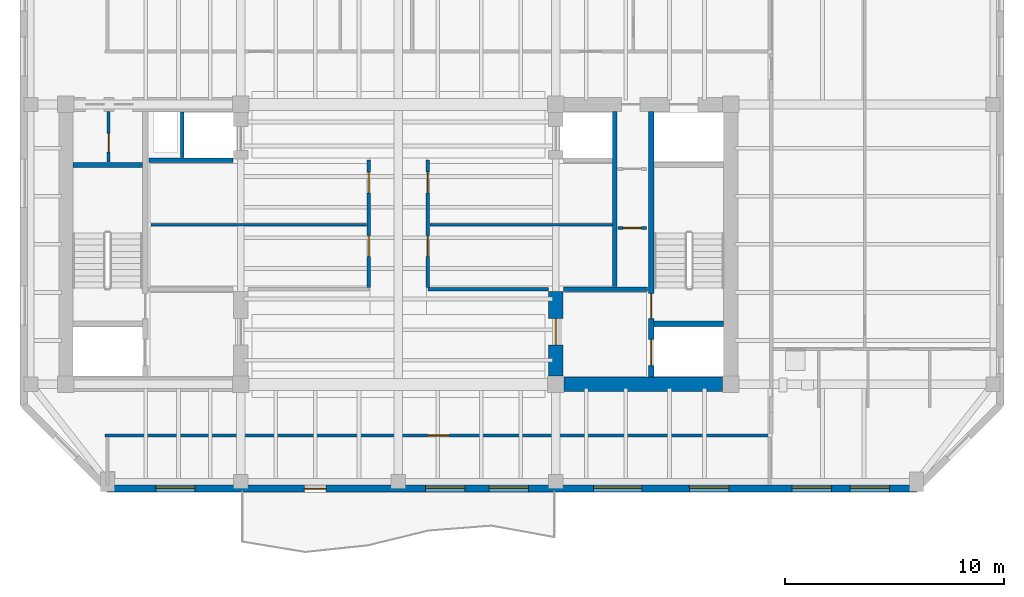
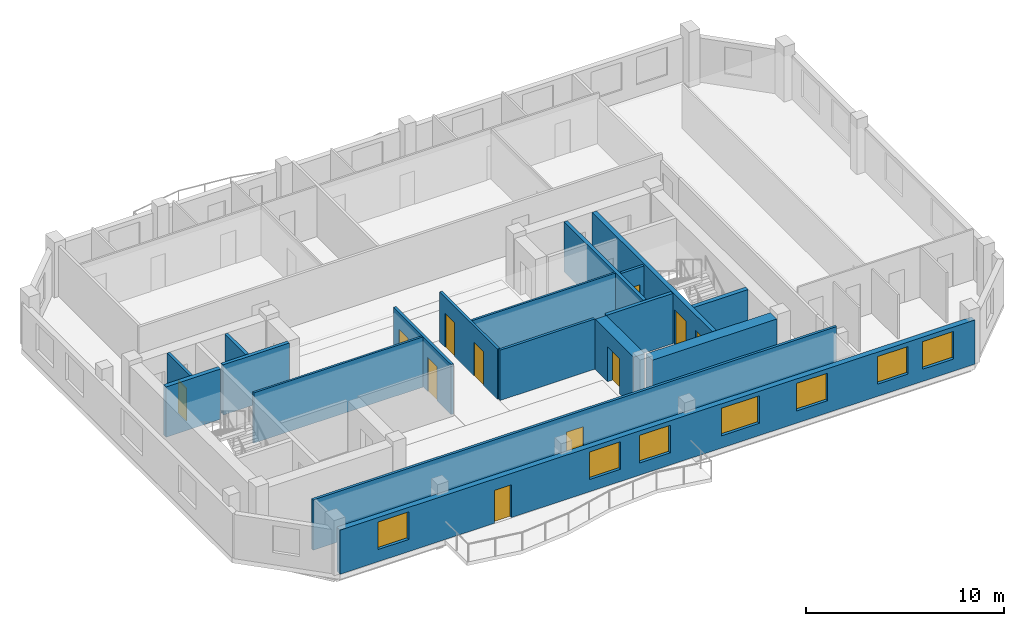
# One storey, part 3 of 9: 18 walls, 11 doors, 7 windows, 18 openings.
"""IFC4 building model written with IfcOpenShell, lengths in metres."""

from ifc_helpers import new_model, si_unit, direction, frame, frame_2d, origin, place, context, subcontext, project, spatial, rectangle, extrude, material, layer, layer_set, type_object, element, fill, save


model = new_model("IFC4")

# Units and contexts
model_context = context("Model", 3, precision=1e-05, world=origin(), true_north=direction((0.0, 1.0)))
body_context = subcontext(model_context, "Body", "Model", "MODEL_VIEW")
ifc_project = project(units=[si_unit("LENGTHUNIT", "METRE"), si_unit("AREAUNIT", "SQUARE_METRE"), si_unit("VOLUMEUNIT", "CUBIC_METRE"), si_unit("PLANEANGLEUNIT", "RADIAN"), si_unit("MASSUNIT", "GRAM", prefix="KILO")], contexts=[model_context])

# Site, building, storey
site_placement = place(None, origin())
site = spatial("IfcSite", under=ifc_project, at=site_placement, CompositionType="ELEMENT")
building_placement = place(site_placement, origin())
building = spatial("IfcBuilding", under=site, at=building_placement, Name="Kranthara Brick Stack", CompositionType="ELEMENT")
storey_placement = place(building_placement, frame((0.0, 0.0, 251.699951171875)))
storey = spatial("IfcBuildingStorey", under=building, at=storey_placement, Name="L66", CompositionType="ELEMENT", Elevation=251.699951171875)

# Wall, openings, door, windows
ifc_material_1 = material(Name="Warm buff clay brick masonry M15", Category="masonry")
ifc_layer_1 = layer(ifc_material_1, 0.320068359375)
ifc_layer_set_1 = layer_set([ifc_layer_1], Name="Warm buff clay brick masonry M15")
wall_type_1 = type_object("IfcWallType", Name="WL-BRK-UPPR-320", PredefinedType="STANDARD", material=ifc_layer_set_1)
wall_1_placement = place(storey_placement, frame((51.699951171875, 16.030029296875, 0.0), z_axis=(0.0, 0.0, 1.0), x_axis=(-1.0, 0.0, 0.0)))
wall_1 = element("IfcWall", 1, at=wall_1_placement, inside=storey, type_object=wall_type_1, Name="L66 Exterior Brick Facade Wall SOUTH 1", PredefinedType="STANDARD", context=body_context, shape_type="SweptSolid", body=[
    extrude(rectangle(XDim=37.0, YDim=0.320068359375, at=frame_2d((18.5, 0.0))), origin(), (0.0, 0.0, 1.0), 2.72509765625),
])
opening_1_placement = place(wall_1_placement, frame((27.0, 0.0, 0.0)))
opening_1 = element("IfcOpeningElement", 2, at=opening_1_placement, cuts=wall_1, Name="Opening D03", PredefinedType="OPENING", context=body_context, shape_type="SweptSolid", body=[
    extrude(rectangle(XDim=1.0, YDim=2.02001953125, at=frame_2d((0.5, 1.010009765625))), frame((0.0, 0.169921875, 0.0), z_axis=(0.0, -1.0, 0.0), x_axis=(1.0, 0.0, 0.0)), (0.0, 0.0, 1.0), 0.340087890625),
])
opening_2_placement = place(wall_1_placement, frame((1.235107421875, 0.0, 0.75)))
opening_2 = element("IfcOpeningElement", 3, at=opening_2_placement, cuts=wall_1, Name="Opening WN07", PredefinedType="OPENING", context=body_context, shape_type="SweptSolid", body=[
    extrude(rectangle(XDim=1.800048828125, YDim=1.699951171875, at=frame_2d((0.89990234375, 0.85009765625))), frame((0.0, 0.169921875, 0.0), z_axis=(0.0, -1.0, 0.0), x_axis=(1.0, 0.0, 0.0)), (0.0, 0.0, 1.0), 0.340087890625),
])
opening_3_placement = place(wall_1_placement, frame((3.885009765625, 0.0, 0.75)))
opening_3 = element("IfcOpeningElement", 4, at=opening_3_placement, cuts=wall_1, Name="Opening WN07", PredefinedType="OPENING", context=body_context, shape_type="SweptSolid", body=[
    extrude(rectangle(XDim=1.800048828125, YDim=1.699951171875, at=frame_2d((0.89990234375, 0.85009765625))), frame((0.0, 0.169921875, 0.0), z_axis=(0.0, -1.0, 0.0), x_axis=(1.0, 0.0, 0.0)), (0.0, 0.0, 1.0), 0.340087890625),
])
opening_4_placement = place(wall_1_placement, frame((8.5830078125, 0.0, 0.75)))
opening_4 = element("IfcOpeningElement", 5, at=opening_4_placement, cuts=wall_1, Name="Opening WN07", PredefinedType="OPENING", context=body_context, shape_type="SweptSolid", body=[
    extrude(rectangle(XDim=1.800048828125, YDim=1.699951171875, at=frame_2d((0.89990234375, 0.85009765625))), frame((0.0, 0.169921875, 0.0), z_axis=(0.0, -1.0, 0.0), x_axis=(1.0, 0.0, 0.0)), (0.0, 0.0, 1.0), 0.340087890625),
])
opening_5_placement = place(wall_1_placement, frame((12.56201171875, 0.0, 0.75)))
opening_5 = element("IfcOpeningElement", 6, at=opening_5_placement, cuts=wall_1, Name="Opening WN08", PredefinedType="OPENING", context=body_context, shape_type="SweptSolid", body=[
    extrude(rectangle(XDim=2.199951171875, YDim=1.699951171875, at=frame_2d((1.10009765625, 0.85009765625))), frame((0.0, 0.169921875, 0.0), z_axis=(0.0, -1.0, 0.0), x_axis=(1.0, 0.0, 0.0)), (0.0, 0.0, 1.0), 0.340087890625),
])
opening_6_placement = place(wall_1_placement, frame((17.748046875, 0.0, 0.75)))
opening_6 = element("IfcOpeningElement", 7, at=opening_6_placement, cuts=wall_1, Name="Opening WN07", PredefinedType="OPENING", context=body_context, shape_type="SweptSolid", body=[
    extrude(rectangle(XDim=1.800048828125, YDim=1.699951171875, at=frame_2d((0.89990234375, 0.85009765625))), frame((0.0, 0.169921875, 0.0), z_axis=(0.0, -1.0, 0.0), x_axis=(1.0, 0.0, 0.0)), (0.0, 0.0, 1.0), 0.340087890625),
])
opening_7_placement = place(wall_1_placement, frame((20.652099609375, 0.0, 0.75)))
opening_7 = element("IfcOpeningElement", 8, at=opening_7_placement, cuts=wall_1, Name="Opening WN07", PredefinedType="OPENING", context=body_context, shape_type="SweptSolid", body=[
    extrude(rectangle(XDim=1.800048828125, YDim=1.699951171875, at=frame_2d((0.89990234375, 0.85009765625))), frame((0.0, 0.169921875, 0.0), z_axis=(0.0, -1.0, 0.0), x_axis=(1.0, 0.0, 0.0)), (0.0, 0.0, 1.0), 0.340087890625),
])
opening_8_placement = place(wall_1_placement, frame((32.988037109375, 0.0, 0.75)))
opening_8 = element("IfcOpeningElement", 9, at=opening_8_placement, cuts=wall_1, Name="Opening WN07", PredefinedType="OPENING", context=body_context, shape_type="SweptSolid", body=[
    extrude(rectangle(XDim=1.800048828125, YDim=1.699951171875, at=frame_2d((0.89990234375, 0.85009765625))), frame((0.0, 0.169921875, 0.0), z_axis=(0.0, -1.0, 0.0), x_axis=(1.0, 0.0, 0.0)), (0.0, 0.0, 1.0), 0.340087890625),
])
ifc_material_2 = material(Name="Bronze anodised aluminium and laminated glass", Category="aluminium")
door_type_1 = type_object("IfcDoorType", Name="DR-BALC-1000", OperationType="NOTDEFINED", PredefinedType="DOOR", material=ifc_material_2)
door_1_placement = place(opening_1_placement, origin())
door_1 = element("IfcDoor", 10, at=door_1_placement, inside=storey, type_object=door_type_1, Name="L66 South Balcony Terrace Door", OperationType="SINGLE_SWING_LEFT", OverallHeight=2.02001953125, OverallWidth=1.0, PredefinedType="DOOR", context=body_context, shape_type="SweptSolid", body=[
    extrude(rectangle(XDim=1.0, YDim=2.02001953125, at=frame_2d((0.5, 1.010009765625))), frame((0.0, 0.02490234375, 0.0), z_axis=(0.0, -1.0, 0.0), x_axis=(1.0, 0.0, 0.0)), (0.0, 0.0, 1.0), 0.050048828125),
])
fill(opening_1, door_1)
ifc_material_3 = material(Name="Double-glazed low-E solar control glass", Category="glass")
window_type_1 = type_object("IfcWindowType", Name="WN-RES-1800x1850", PartitioningType="DOUBLE_PANEL_VERTICAL", PredefinedType="WINDOW", material=ifc_material_3)
window_1_placement = place(opening_2_placement, origin())
window_1 = element("IfcWindow", 11, at=window_1_placement, inside=storey, type_object=window_type_1, Name="L66 South Deep-Set Brick Window 01", OverallHeight=1.699951171875, OverallWidth=1.800048828125, PartitioningType="SINGLE_PANEL", PredefinedType="WINDOW", context=body_context, shape_type="SweptSolid", body=[
    extrude(rectangle(XDim=1.800048828125, YDim=1.699951171875, at=frame_2d((0.89990234375, 0.85009765625))), frame((0.0, -0.010009765625, 0.0), z_axis=(0.0, -1.0, 0.0), x_axis=(1.0, 0.0, 0.0)), (0.0, 0.0, 1.0), 0.06005859375),
])
fill(opening_2, window_1)
window_2_placement = place(opening_3_placement, origin())
window_2 = element("IfcWindow", 12, at=window_2_placement, inside=storey, type_object=window_type_1, Name="L66 South Deep-Set Brick Window 02", OverallHeight=1.699951171875, OverallWidth=1.800048828125, PartitioningType="SINGLE_PANEL", PredefinedType="WINDOW", context=body_context, shape_type="SweptSolid", body=[
    extrude(rectangle(XDim=1.800048828125, YDim=1.699951171875, at=frame_2d((0.89990234375, 0.85009765625))), frame((0.0, -0.010009765625, 0.0), z_axis=(0.0, -1.0, 0.0), x_axis=(1.0, 0.0, 0.0)), (0.0, 0.0, 1.0), 0.06005859375),
])
fill(opening_3, window_2)
window_3_placement = place(opening_4_placement, origin())
window_3 = element("IfcWindow", 13, at=window_3_placement, inside=storey, type_object=window_type_1, Name="L66 South Deep-Set Brick Window 03", OverallHeight=1.699951171875, OverallWidth=1.800048828125, PartitioningType="SINGLE_PANEL", PredefinedType="WINDOW", context=body_context, shape_type="SweptSolid", body=[
    extrude(rectangle(XDim=1.800048828125, YDim=1.699951171875, at=frame_2d((0.89990234375, 0.85009765625))), frame((0.0, -0.010009765625, 0.0), z_axis=(0.0, -1.0, 0.0), x_axis=(1.0, 0.0, 0.0)), (0.0, 0.0, 1.0), 0.06005859375),
])
fill(opening_4, window_3)
window_4_placement = place(opening_6_placement, origin())
window_4 = element("IfcWindow", 14, at=window_4_placement, inside=storey, type_object=window_type_1, Name="L66 South Deep-Set Brick Window 05", OverallHeight=1.699951171875, OverallWidth=1.800048828125, PartitioningType="SINGLE_PANEL", PredefinedType="WINDOW", context=body_context, shape_type="SweptSolid", body=[
    extrude(rectangle(XDim=1.800048828125, YDim=1.699951171875, at=frame_2d((0.89990234375, 0.85009765625))), frame((0.0, -0.010009765625, 0.0), z_axis=(0.0, -1.0, 0.0), x_axis=(1.0, 0.0, 0.0)), (0.0, 0.0, 1.0), 0.06005859375),
])
fill(opening_6, window_4)
window_5_placement = place(opening_7_placement, origin())
window_5 = element("IfcWindow", 15, at=window_5_placement, inside=storey, type_object=window_type_1, Name="L66 South Deep-Set Brick Window 06", OverallHeight=1.699951171875, OverallWidth=1.800048828125, PartitioningType="SINGLE_PANEL", PredefinedType="WINDOW", context=body_context, shape_type="SweptSolid", body=[
    extrude(rectangle(XDim=1.800048828125, YDim=1.699951171875, at=frame_2d((0.89990234375, 0.85009765625))), frame((0.0, -0.010009765625, 0.0), z_axis=(0.0, -1.0, 0.0), x_axis=(1.0, 0.0, 0.0)), (0.0, 0.0, 1.0), 0.06005859375),
])
fill(opening_7, window_5)
window_6_placement = place(opening_8_placement, origin())
window_6 = element("IfcWindow", 16, at=window_6_placement, inside=storey, type_object=window_type_1, Name="L66 South Deep-Set Brick Window 07", OverallHeight=1.699951171875, OverallWidth=1.800048828125, PartitioningType="SINGLE_PANEL", PredefinedType="WINDOW", context=body_context, shape_type="SweptSolid", body=[
    extrude(rectangle(XDim=1.800048828125, YDim=1.699951171875, at=frame_2d((0.89990234375, 0.85009765625))), frame((0.0, -0.010009765625, 0.0), z_axis=(0.0, -1.0, 0.0), x_axis=(1.0, 0.0, 0.0)), (0.0, 0.0, 1.0), 0.06005859375),
])
fill(opening_8, window_6)
ifc_material_4 = material(Name="Double-glazed low-E solar control glass", Category="glass")
window_type_2 = type_object("IfcWindowType", Name="WN-RES-2200x1850", PartitioningType="TRIPLE_PANEL_VERTICAL", PredefinedType="WINDOW", material=ifc_material_4)
window_7_placement = place(opening_5_placement, origin())
window_7 = element("IfcWindow", 17, at=window_7_placement, inside=storey, type_object=window_type_2, Name="L66 South Deep-Set Brick Window 04", OverallHeight=1.699951171875, OverallWidth=2.199951171875, PartitioningType="SINGLE_PANEL", PredefinedType="WINDOW", context=body_context, shape_type="SweptSolid", body=[
    extrude(rectangle(XDim=2.199951171875, YDim=1.699951171875, at=frame_2d((1.10009765625, 0.85009765625))), frame((0.0, -0.010009765625, 0.0), z_axis=(0.0, -1.0, 0.0), x_axis=(1.0, 0.0, 0.0)), (0.0, 0.0, 1.0), 0.06005859375),
])
fill(opening_5, window_7)

# Wall
ifc_material_5 = material(Name="Concrete C50/60", Category="concrete")
ifc_layer_2 = layer(ifc_material_5, 0.25)
ifc_layer_set_2 = layer_set([ifc_layer_2], Name="Concrete C50/60")
wall_type_2 = type_object("IfcWallType", Name="WL-CORE-250", PredefinedType="SHEAR", material=ifc_layer_set_2)
wall_2_placement = place(storey_placement, frame((13.135009765625, 30.830078125, 0.0), z_axis=(0.0, 0.0, 1.0), x_axis=(1.0, 0.0, 0.0)))
element("IfcWall", 18, at=wall_2_placement, inside=storey, type_object=wall_type_2, Name="L66 West Stairwell Bearing Wall WST", PredefinedType="SHEAR", context=body_context, shape_type="SweptSolid", body=[
    extrude(rectangle(XDim=3.175048828125, YDim=0.25, at=frame_2d((1.58740234375, 0.0))), origin(), (0.0, 0.0, 1.0), 3.10009765625),
])

# Wall, openings, doors
wall_3_placement = place(storey_placement, frame((39.56494140625, 21.135009765625, 0.0), z_axis=(0.0, 0.0, 1.0), x_axis=(0.0, 1.0, 0.0)))
wall_3 = element("IfcWall", 19, at=wall_3_placement, inside=storey, type_object=wall_type_2, Name="L66 East Core Stair Bearing Spine Wall", PredefinedType="SHEAR", context=body_context, shape_type="SweptSolid", body=[
    extrude(rectangle(XDim=12.1298828125, YDim=0.25, at=frame_2d((6.06494140625, 0.0))), origin(), (0.0, 0.0, 1.0), 3.10009765625),
])
opening_9_placement = place(wall_3_placement, frame((0.514892578125, 0.0, 0.0)))
opening_9 = element("IfcOpeningElement", 20, at=opening_9_placement, cuts=wall_3, Name="Opening LD01", PredefinedType="OPENING", context=body_context, shape_type="SweptSolid", body=[
    extrude(rectangle(XDim=1.199951171875, YDim=2.14990234375, at=frame_2d((0.60009765625, 1.074951171875))), frame((0.0, 0.135009765625, 0.0), z_axis=(0.0, -1.0, 0.0), x_axis=(1.0, 0.0, 0.0)), (0.0, 0.0, 1.0), 0.27001953125),
])
opening_10_placement = place(wall_3_placement, frame((2.6650390625, 0.0, 0.0)))
opening_10 = element("IfcOpeningElement", 21, at=opening_10_placement, cuts=wall_3, Name="Opening D05", PredefinedType="OPENING", context=body_context, shape_type="SweptSolid", body=[
    extrude(rectangle(XDim=1.14990234375, YDim=2.14990234375, at=frame_2d((0.574951171875, 1.074951171875))), frame((0.0, 0.135009765625, 0.0), z_axis=(0.0, -1.0, 0.0), x_axis=(1.0, 0.0, 0.0)), (0.0, 0.0, 1.0), 0.27001953125),
])
ifc_material_6 = material(Name="Stainless steel sliding landing door", Category="steel")
door_type_2 = type_object("IfcDoorType", Name="DR-LD-FF1200", OperationType="DOUBLE_DOOR_SLIDING", PredefinedType="DOOR", material=ifc_material_6)
door_2_placement = place(opening_9_placement, origin())
door_2 = element("IfcDoor", 22, at=door_2_placement, inside=storey, type_object=door_type_2, Name="L66 Firefighting Lift FF-02 Landing Door", OperationType="DOUBLE_DOOR_SLIDING", OverallHeight=2.14990234375, OverallWidth=1.199951171875, PredefinedType="DOOR", context=body_context, shape_type="SweptSolid", body=[
    extrude(rectangle(XDim=1.199951171875, YDim=2.14990234375, at=frame_2d((0.60009765625, 1.074951171875))), frame((0.0, 0.02490234375, 0.0), z_axis=(0.0, -1.0, 0.0), x_axis=(1.0, 0.0, 0.0)), (0.0, 0.0, 1.0), 0.050048828125),
])
fill(opening_9, door_2)
ifc_material_7 = material(Name="Solid-core hardwood timber leaf in steel frame", Category="steel")
door_type_3 = type_object("IfcDoorType", Name="DR-ST-1150", OperationType="NOTDEFINED", PredefinedType="DOOR", material=ifc_material_7)
door_3_placement = place(opening_10_placement, origin())
door_3 = element("IfcDoor", 23, at=door_3_placement, inside=storey, type_object=door_type_3, Name="L66 Exit Stair ST02 Door", OperationType="SINGLE_SWING_LEFT", OverallHeight=2.14990234375, OverallWidth=1.14990234375, PredefinedType="DOOR", context=body_context, shape_type="SweptSolid", body=[
    extrude(rectangle(XDim=1.14990234375, YDim=2.14990234375, at=frame_2d((0.574951171875, 1.074951171875))), frame((0.0, 0.02490234375, 0.0), z_axis=(0.0, -1.0, 0.0), x_axis=(1.0, 0.0, 0.0)), (0.0, 0.0, 1.0), 0.050048828125),
])
fill(opening_10, door_3)

# Walls
wall_4_placement = place(storey_placement, frame((39.68994140625, 23.570068359375, 0.0), z_axis=(0.0, 0.0, 1.0), x_axis=(1.0, 0.0, 0.0)))
element("IfcWall", 24, at=wall_4_placement, inside=storey, type_object=wall_type_2, Name="L66 East Stairwell Bearing Wall EFF", PredefinedType="SHEAR", context=body_context, shape_type="SweptSolid", body=[
    extrude(rectangle(XDim=3.175048828125, YDim=0.25, at=frame_2d((1.58740234375, 0.0))), origin(), (0.0, 0.0, 1.0), 3.10009765625),
])
ifc_material_8 = material(Name="Concrete C60/75", Category="concrete")
ifc_layer_3 = layer(ifc_material_8, 0.64990234375)
ifc_layer_set_3 = layer_set([ifc_layer_3], Name="Concrete C60/75")
wall_type_3 = type_object("IfcWallType", Name="WL-CORE-650", PredefinedType="SHEAR", material=ifc_layer_set_3)
wall_5_placement = place(storey_placement, frame((35.580078125, 20.800048828125, 0.0), z_axis=(0.0, 0.0, 1.0), x_axis=(1.0, 0.0, 0.0)))
element("IfcWall", 25, at=wall_5_placement, inside=storey, type_object=wall_type_3, Name="L66 East Core Shear Wall South", PredefinedType="SHEAR", context=body_context, shape_type="SweptSolid", body=[
    extrude(rectangle(XDim=7.239990234375, YDim=0.64990234375, at=frame_2d((3.6201171875, 0.0))), origin(), (0.0, 0.0, 1.0), 3.10009765625),
])

# Wall, opening, door
wall_6_placement = place(storey_placement, frame((35.199951171875, 21.179931640625, 0.0), z_axis=(0.0, 0.0, 1.0), x_axis=(0.0, 1.0, 0.0)))
wall_6 = element("IfcWall", 26, at=wall_6_placement, inside=storey, type_object=wall_type_3, Name="L66 East Core Lobby Shear Wall", PredefinedType="SHEAR", context=body_context, shape_type="SweptSolid", body=[
    extrude(rectangle(XDim=3.8701171875, YDim=0.64990234375, at=frame_2d((1.93505859375, 0.0))), origin(), (0.0, 0.0, 1.0), 3.10009765625),
])
opening_11_placement = place(wall_6_placement, frame((1.419921875, 0.0, 0.0)))
opening_11 = element("IfcOpeningElement", 27, at=opening_11_placement, cuts=wall_6, Name="Opening D06", PredefinedType="OPENING", context=body_context, shape_type="SweptSolid", body=[
    extrude(rectangle(XDim=1.199951171875, YDim=2.14990234375, at=frame_2d((0.60009765625, 1.074951171875))), frame((0.0, 0.3349609375, 0.0), z_axis=(0.0, -1.0, 0.0), x_axis=(1.0, 0.0, 0.0)), (0.0, 0.0, 1.0), 0.669921875),
])
ifc_material_9 = material(Name="Solid-core hardwood timber leaf in steel frame", Category="steel")
door_type_4 = type_object("IfcDoorType", Name="DR-FFL-1200", OperationType="NOTDEFINED", PredefinedType="DOOR", material=ifc_material_9)
door_4_placement = place(opening_11_placement, origin())
door_4 = element("IfcDoor", 28, at=door_4_placement, inside=storey, type_object=door_type_4, Name="L66 East Firefighting Lobby Door", OperationType="SINGLE_SWING_RIGHT", OverallHeight=2.14990234375, OverallWidth=1.199951171875, PredefinedType="DOOR", context=body_context, shape_type="SweptSolid", body=[
    extrude(rectangle(XDim=1.199951171875, YDim=2.14990234375, at=frame_2d((0.60009765625, 1.074951171875))), frame((0.0, 0.02490234375, 0.0), z_axis=(0.0, -1.0, 0.0), x_axis=(1.0, 0.0, 0.0)), (0.0, 0.0, 1.0), 0.050048828125),
])
fill(opening_11, door_4)

# Walls
ifc_material_10 = material(Name="Acoustic gypsum plasterboard partition", Category="other")
ifc_layer_4 = layer(ifc_material_10, 0.1201171875)
ifc_layer_set_4 = layer_set([ifc_layer_4], Name="Acoustic gypsum plasterboard partition")
wall_type_4 = type_object("IfcWallType", Name="WL-PART-120", PredefinedType="PARTITIONING", material=ifc_layer_set_4)
wall_7_placement = place(storey_placement, frame((16.699951171875, 28.10009765625, 0.0), z_axis=(0.0, 0.0, 1.0), x_axis=(1.0, 0.0, 0.0)))
element("IfcWall", 29, at=wall_7_placement, inside=storey, type_object=wall_type_4, Name="L66 Interior Partition 007", PredefinedType="PARTITIONING", context=body_context, shape_type="SweptSolid", body=[
    extrude(rectangle(XDim=9.85009765625, YDim=0.1201171875, at=frame_2d((4.925048828125, 0.0))), origin(), (0.0, 0.0, 1.0), 3.10009765625),
])
wall_8_placement = place(storey_placement, frame((29.449951171875, 28.10009765625, 0.0), z_axis=(0.0, 0.0, 1.0), x_axis=(1.0, 0.0, 0.0)))
element("IfcWall", 30, at=wall_8_placement, inside=storey, type_object=wall_type_4, Name="L66 Interior Partition 009", PredefinedType="PARTITIONING", context=body_context, shape_type="SweptSolid", body=[
    extrude(rectangle(XDim=8.344970703125, YDim=0.1201171875, at=frame_2d((4.17236328125, 0.0))), origin(), (0.0, 0.0, 1.0), 3.10009765625),
])

# Wall, opening, door
ifc_material_11 = material(Name="Fire-rated gypsum board partition", Category="other")
ifc_layer_5 = layer(ifc_material_11, 0.14990234375)
ifc_layer_set_5 = layer_set([ifc_layer_5], Name="Fire-rated gypsum board partition")
wall_type_5 = type_object("IfcWallType", Name="WL-PART-150", PredefinedType="PARTITIONING", material=ifc_layer_set_5)
wall_9_placement = place(storey_placement, frame((14.75, 30.9599609375, 0.0), z_axis=(0.0, 0.0, 1.0), x_axis=(0.0, 1.0, 0.0)))
wall_9 = element("IfcWall", 31, at=wall_9_placement, inside=storey, type_object=wall_type_5, Name="L66 Interior Partition 001", PredefinedType="PARTITIONING", context=body_context, shape_type="SweptSolid", body=[
    extrude(rectangle(XDim=2.31005859375, YDim=0.14990234375, at=frame_2d((1.155029296875, 0.0))), origin(), (0.0, 0.0, 1.0), 3.10009765625),
])
opening_12_placement = place(wall_9_placement, frame((0.469970703125, 0.0, 0.0)))
opening_12 = element("IfcOpeningElement", 32, at=opening_12_placement, cuts=wall_9, Name="Opening D10", PredefinedType="OPENING", context=body_context, shape_type="SweptSolid", body=[
    extrude(rectangle(XDim=0.85009765625, YDim=2.02001953125, at=frame_2d((0.425048828125, 1.010009765625))), frame((0.0, 0.0849609375, 0.0), z_axis=(0.0, -1.0, 0.0), x_axis=(1.0, 0.0, 0.0)), (0.0, 0.0, 1.0), 0.169921875),
])
ifc_material_12 = material(Name="Solid-core hardwood timber leaf in steel frame", Category="steel")
door_type_5 = type_object("IfcDoorType", Name="DR-RSR-850", OperationType="NOTDEFINED", PredefinedType="DOOR", material=ifc_material_12)
door_5_placement = place(opening_12_placement, origin())
door_5 = element("IfcDoor", 33, at=door_5_placement, inside=storey, type_object=door_type_5, Name="L66 Service Interconnect 01", OperationType="SINGLE_SWING_LEFT", OverallHeight=2.02001953125, OverallWidth=0.85009765625, PredefinedType="DOOR", context=body_context, shape_type="SweptSolid", body=[
    extrude(rectangle(XDim=0.85009765625, YDim=2.02001953125, at=frame_2d((0.425048828125, 1.010009765625))), frame((0.0, 0.02490234375, 0.0), z_axis=(0.0, -1.0, 0.0), x_axis=(1.0, 0.0, 0.0)), (0.0, 0.0, 1.0), 0.050048828125),
])
fill(opening_12, door_5)

wall_10_placement = place(storey_placement, frame((38.050048828125, 27.949951171875, 0.0), z_axis=(0.0, 0.0, 1.0), x_axis=(1.0, 0.0, 0.0)))
wall_10 = element("IfcWall", 34, at=wall_10_placement, inside=storey, type_object=wall_type_5, Name="L66 Interior Partition 002", PredefinedType="PARTITIONING", context=body_context, shape_type="SweptSolid", body=[
    extrude(rectangle(XDim=1.300048828125, YDim=0.14990234375, at=frame_2d((0.64990234375, 0.0))), origin(), (0.0, 0.0, 1.0), 3.10009765625),
])
opening_13_placement = place(wall_10_placement, frame((0.219970703125, 0.0, 0.0)))
opening_13 = element("IfcOpeningElement", 35, at=opening_13_placement, cuts=wall_10, Name="Opening D10", PredefinedType="OPENING", context=body_context, shape_type="SweptSolid", body=[
    extrude(rectangle(XDim=0.85009765625, YDim=2.02001953125, at=frame_2d((0.425048828125, 1.010009765625))), frame((0.0, 0.0849609375, 0.0), z_axis=(0.0, -1.0, 0.0), x_axis=(1.0, 0.0, 0.0)), (0.0, 0.0, 1.0), 0.169921875),
])
door_6_placement = place(opening_13_placement, origin())
door_6 = element("IfcDoor", 36, at=door_6_placement, inside=storey, type_object=door_type_5, Name="L66 Riser Door 1 02", OperationType="SINGLE_SWING_RIGHT", OverallHeight=2.02001953125, OverallWidth=0.85009765625, PredefinedType="DOOR", context=body_context, shape_type="SweptSolid", body=[
    extrude(rectangle(XDim=0.85009765625, YDim=2.02001953125, at=frame_2d((0.425048828125, 1.010009765625))), frame((0.0, 0.02490234375, 0.0), z_axis=(0.0, -1.0, 0.0), x_axis=(1.0, 0.0, 0.0)), (0.0, 0.0, 1.0), 0.050048828125),
])
fill(opening_13, door_6)

# Wall
wall_11_placement = place(storey_placement, frame((29.35009765625, 25.14990234375, 0.0), z_axis=(0.0, 0.0, 1.0), x_axis=(1.0, 0.0, 0.0)))
element("IfcWall", 37, at=wall_11_placement, inside=storey, type_object=wall_type_5, Name="L66 Interior Partition 005", PredefinedType="PARTITIONING", context=body_context, shape_type="SweptSolid", body=[
    extrude(rectangle(XDim=5.52001953125, YDim=0.14990234375, at=frame_2d((2.760009765625, 0.0))), origin(), (0.0, 0.0, 1.0), 3.10009765625),
])

# Wall, openings, doors
wall_12_placement = place(storey_placement, frame((26.64990234375, 25.22998046875, 0.0), z_axis=(0.0, 0.0, 1.0), x_axis=(0.0, 1.0, 0.0)))
wall_12 = element("IfcWall", 38, at=wall_12_placement, inside=storey, type_object=wall_type_5, Name="L66 Interior Partition 006", PredefinedType="PARTITIONING", context=body_context, shape_type="SweptSolid", body=[
    extrude(rectangle(XDim=5.820068359375, YDim=0.14990234375, at=frame_2d((2.91015625, 0.0))), origin(), (0.0, 0.0, 1.0), 3.10009765625),
])
opening_14_placement = place(wall_12_placement, frame((1.419921875, 0.0, 0.0)))
opening_14 = element("IfcOpeningElement", 39, at=opening_14_placement, cuts=wall_12, Name="Opening D09", PredefinedType="OPENING", context=body_context, shape_type="SweptSolid", body=[
    extrude(rectangle(XDim=0.949951171875, YDim=2.10009765625, at=frame_2d((0.47509765625, 1.050048828125))), frame((0.0, 0.0849609375, 0.0), z_axis=(0.0, -1.0, 0.0), x_axis=(1.0, 0.0, 0.0)), (0.0, 0.0, 1.0), 0.169921875),
])
opening_15_placement = place(wall_12_placement, frame((4.320068359375, 0.0, 0.0)))
opening_15 = element("IfcOpeningElement", 40, at=opening_15_placement, cuts=wall_12, Name="Opening D09", PredefinedType="OPENING", context=body_context, shape_type="SweptSolid", body=[
    extrude(rectangle(XDim=0.949951171875, YDim=2.10009765625, at=frame_2d((0.47509765625, 1.050048828125))), frame((0.0, 0.0849609375, 0.0), z_axis=(0.0, -1.0, 0.0), x_axis=(1.0, 0.0, 0.0)), (0.0, 0.0, 1.0), 0.169921875),
])
ifc_material_13 = material(Name="Solid-core hardwood timber leaf in steel frame", Category="steel")
door_type_6 = type_object("IfcDoorType", Name="DR-FD-950", OperationType="NOTDEFINED", PredefinedType="DOOR", material=ifc_material_13)
door_7_placement = place(opening_14_placement, origin())
door_7 = element("IfcDoor", 41, at=door_7_placement, inside=storey, type_object=door_type_6, Name="L66 Residents Study A 04", OperationType="SINGLE_SWING_RIGHT", OverallHeight=2.10009765625, OverallWidth=0.949951171875, PredefinedType="DOOR", context=body_context, shape_type="SweptSolid", body=[
    extrude(rectangle(XDim=0.949951171875, YDim=2.10009765625, at=frame_2d((0.47509765625, 1.050048828125))), frame((0.0, 0.02490234375, 0.0), z_axis=(0.0, -1.0, 0.0), x_axis=(1.0, 0.0, 0.0)), (0.0, 0.0, 1.0), 0.050048828125),
])
fill(opening_14, door_7)
door_8_placement = place(opening_15_placement, origin())
door_8 = element("IfcDoor", 42, at=door_8_placement, inside=storey, type_object=door_type_6, Name="L66 Residents Media Room 05", OperationType="SINGLE_SWING_LEFT", OverallHeight=2.10009765625, OverallWidth=0.949951171875, PredefinedType="DOOR", context=body_context, shape_type="SweptSolid", body=[
    extrude(rectangle(XDim=0.949951171875, YDim=2.10009765625, at=frame_2d((0.47509765625, 1.050048828125))), frame((0.0, 0.02490234375, 0.0), z_axis=(0.0, -1.0, 0.0), x_axis=(1.0, 0.0, 0.0)), (0.0, 0.0, 1.0), 0.050048828125),
])
fill(opening_15, door_8)

wall_13_placement = place(storey_placement, frame((29.35009765625, 25.22998046875, 0.0), z_axis=(0.0, 0.0, 1.0), x_axis=(0.0, 1.0, 0.0)))
wall_13 = element("IfcWall", 43, at=wall_13_placement, inside=storey, type_object=wall_type_5, Name="L66 Interior Partition 008", PredefinedType="PARTITIONING", context=body_context, shape_type="SweptSolid", body=[
    extrude(rectangle(XDim=5.820068359375, YDim=0.14990234375, at=frame_2d((2.91015625, 0.0))), origin(), (0.0, 0.0, 1.0), 3.10009765625),
])
opening_16_placement = place(wall_13_placement, frame((1.419921875, 0.0, 0.0)))
opening_16 = element("IfcOpeningElement", 44, at=opening_16_placement, cuts=wall_13, Name="Opening D09", PredefinedType="OPENING", context=body_context, shape_type="SweptSolid", body=[
    extrude(rectangle(XDim=0.949951171875, YDim=2.10009765625, at=frame_2d((0.47509765625, 1.050048828125))), frame((0.0, 0.0849609375, 0.0), z_axis=(0.0, -1.0, 0.0), x_axis=(1.0, 0.0, 0.0)), (0.0, 0.0, 1.0), 0.169921875),
])
opening_17_placement = place(wall_13_placement, frame((4.320068359375, 0.0, 0.0)))
opening_17 = element("IfcOpeningElement", 45, at=opening_17_placement, cuts=wall_13, Name="Opening D09", PredefinedType="OPENING", context=body_context, shape_type="SweptSolid", body=[
    extrude(rectangle(XDim=0.949951171875, YDim=2.10009765625, at=frame_2d((0.47509765625, 1.050048828125))), frame((0.0, 0.0849609375, 0.0), z_axis=(0.0, -1.0, 0.0), x_axis=(1.0, 0.0, 0.0)), (0.0, 0.0, 1.0), 0.169921875),
])
door_9_placement = place(opening_16_placement, origin())
door_9 = element("IfcDoor", 46, at=door_9_placement, inside=storey, type_object=door_type_6, Name="L66 Private Tea Room 06", OperationType="SINGLE_SWING_RIGHT", OverallHeight=2.10009765625, OverallWidth=0.949951171875, PredefinedType="DOOR", context=body_context, shape_type="SweptSolid", body=[
    extrude(rectangle(XDim=0.949951171875, YDim=2.10009765625, at=frame_2d((0.47509765625, 1.050048828125))), frame((0.0, 0.02490234375, 0.0), z_axis=(0.0, -1.0, 0.0), x_axis=(1.0, 0.0, 0.0)), (0.0, 0.0, 1.0), 0.050048828125),
])
fill(opening_16, door_9)
door_10_placement = place(opening_17_placement, origin())
door_10 = element("IfcDoor", 47, at=door_10_placement, inside=storey, type_object=door_type_6, Name="L66 Private Dining Room 07", OperationType="SINGLE_SWING_LEFT", OverallHeight=2.10009765625, OverallWidth=0.949951171875, PredefinedType="DOOR", context=body_context, shape_type="SweptSolid", body=[
    extrude(rectangle(XDim=0.949951171875, YDim=2.10009765625, at=frame_2d((0.47509765625, 1.050048828125))), frame((0.0, 0.02490234375, 0.0), z_axis=(0.0, -1.0, 0.0), x_axis=(1.0, 0.0, 0.0)), (0.0, 0.0, 1.0), 0.050048828125),
])
fill(opening_17, door_10)

# Wall, opening, door
wall_14_placement = place(storey_placement, frame((14.580078125, 18.4599609375, 0.0), z_axis=(0.0, 0.0, 1.0), x_axis=(1.0, 0.0, 0.0)))
wall_14 = element("IfcWall", 48, at=wall_14_placement, inside=storey, type_object=wall_type_5, Name="L66 Interior Partition 010", PredefinedType="PARTITIONING", context=body_context, shape_type="SweptSolid", body=[
    extrude(rectangle(XDim=30.52001953125, YDim=0.14990234375, at=frame_2d((15.260009765625, 0.0))), origin(), (0.0, 0.0, 1.0), 3.10009765625),
])
opening_18_placement = place(wall_14_placement, frame((14.760009765625, 0.0, 0.0)))
opening_18 = element("IfcOpeningElement", 49, at=opening_18_placement, cuts=wall_14, Name="Opening D08", PredefinedType="OPENING", context=body_context, shape_type="SweptSolid", body=[
    extrude(rectangle(XDim=1.0, YDim=2.10009765625, at=frame_2d((0.5, 1.050048828125))), frame((0.0, 0.0849609375, 0.0), z_axis=(0.0, -1.0, 0.0), x_axis=(1.0, 0.0, 0.0)), (0.0, 0.0, 1.0), 0.169921875),
])
ifc_material_14 = material(Name="Solid-core hardwood timber leaf in steel frame", Category="steel")
door_type_7 = type_object("IfcDoorType", Name="DR-FD-1000", OperationType="NOTDEFINED", PredefinedType="DOOR", material=ifc_material_14)
door_11_placement = place(opening_18_placement, origin())
door_11 = element("IfcDoor", 50, at=door_11_placement, inside=storey, type_object=door_type_7, Name="L66 South Amenity Lounge 1 08", OperationType="SINGLE_SWING_RIGHT", OverallHeight=2.10009765625, OverallWidth=1.0, PredefinedType="DOOR", context=body_context, shape_type="SweptSolid", body=[
    extrude(rectangle(XDim=1.0, YDim=2.10009765625, at=frame_2d((0.5, 1.050048828125))), frame((0.0, 0.02490234375, 0.0), z_axis=(0.0, -1.0, 0.0), x_axis=(1.0, 0.0, 0.0)), (0.0, 0.0, 1.0), 0.050048828125),
])
fill(opening_18, door_11)

# Walls
ifc_material_15 = material(Name="Gypsum plasterboard on acoustic twin stud", Category="other")
ifc_layer_6 = layer(ifc_material_15, 0.179931640625)
ifc_layer_set_6 = layer_set([ifc_layer_6], Name="Gypsum plasterboard on acoustic twin stud")
wall_type_6 = type_object("IfcWallType", Name="WL-PART-180", PredefinedType="PARTITIONING", material=ifc_layer_set_6)
wall_15_placement = place(storey_placement, frame((18.1201171875, 31.169921875, 0.0), z_axis=(0.0, 0.0, 1.0), x_axis=(0.0, 1.0, 0.0)))
element("IfcWall", 51, at=wall_15_placement, inside=storey, type_object=wall_type_6, Name="L66 PL-07 Shaft Back Wall", PredefinedType="PARTITIONING", context=body_context, shape_type="SweptSolid", body=[
    extrude(rectangle(XDim=2.094970703125, YDim=0.179931640625, at=frame_2d((1.04736328125, 0.0))), origin(), (0.0, 0.0, 1.0), 3.10009765625),
])
ifc_material_16 = material(Name="Concrete C40/50", Category="concrete")
ifc_layer_7 = layer(ifc_material_16, 0.199951171875)
ifc_layer_set_7 = layer_set([ifc_layer_7], Name="Concrete C40/50")
wall_type_7 = type_object("IfcWallType", Name="WL-PART-200", PredefinedType="SOLIDWALL", material=ifc_layer_set_7)
for number, where, z_axis, x_axis, name in (
    (52, (16.60009765625, 31.050048828125, 0.0), (0.0, 0.0, 1.0), (1.0, 0.0, 0.0), "L66 West Core Cross Wall WH4"),
    (53, (35.550048828125, 25.14990234375, 0.0), (0.0, 0.0, 1.0), (1.0, 0.0, 0.0), "L66 East Core Cross Wall EFL"),
):
    element("IfcWall", number, at=place(storey_placement, frame(where, z_axis=z_axis, x_axis=x_axis)), inside=storey, type_object=wall_type_7, Name=name, PredefinedType="SOLIDWALL", context=body_context, shape_type="SweptSolid", body=[
        extrude(rectangle(XDim=3.849853515625, YDim=0.199951171875, at=frame_2d((1.9248046875, 0.0))), origin(), (0.0, 0.0, 1.0), 3.10009765625),
    ])
wall_16_placement = place(storey_placement, frame((37.89990234375, 25.27001953125, 0.0), z_axis=(0.0, 0.0, 1.0), x_axis=(0.0, 1.0, 0.0)))
element("IfcWall", 54, at=wall_16_placement, inside=storey, type_object=wall_type_7, Name="L66 East Core Cross Wall ESV", PredefinedType="SOLIDWALL", context=body_context, shape_type="SweptSolid", body=[
    extrude(rectangle(XDim=7.994873046875, YDim=0.199951171875, at=frame_2d((3.99755859375, 0.0))), origin(), (0.0, 0.0, 1.0), 3.10009765625),
])

save(model, "model.ifc")
